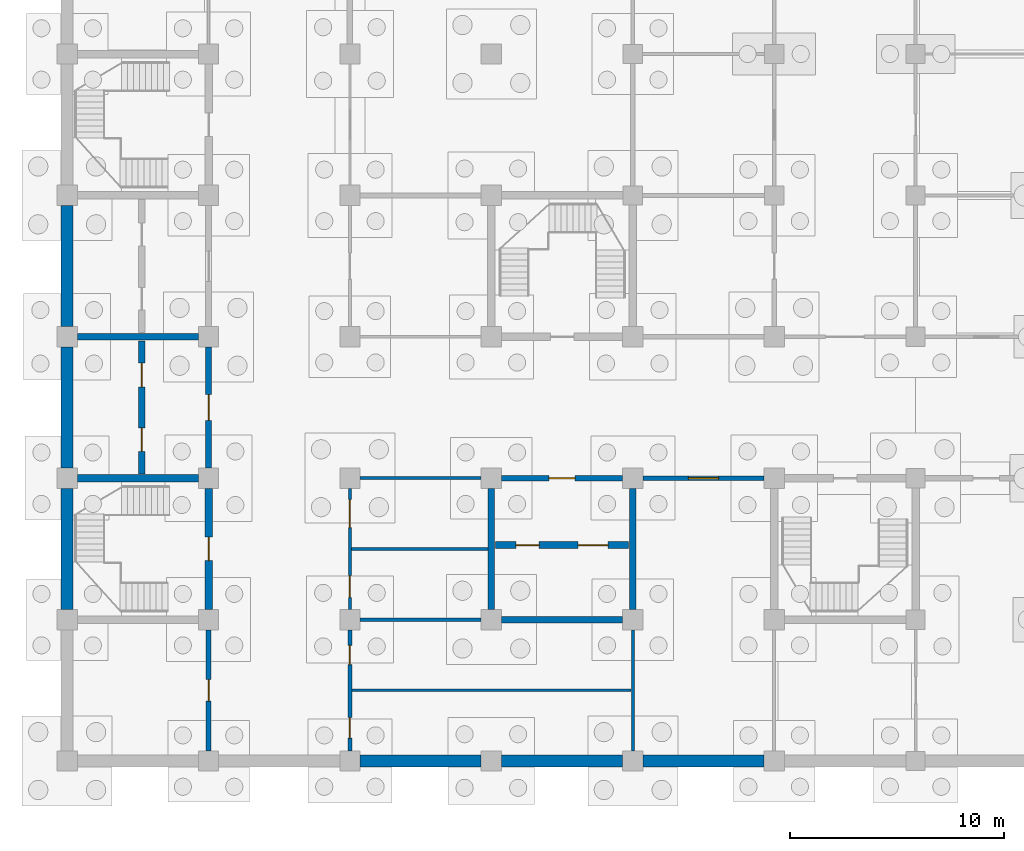
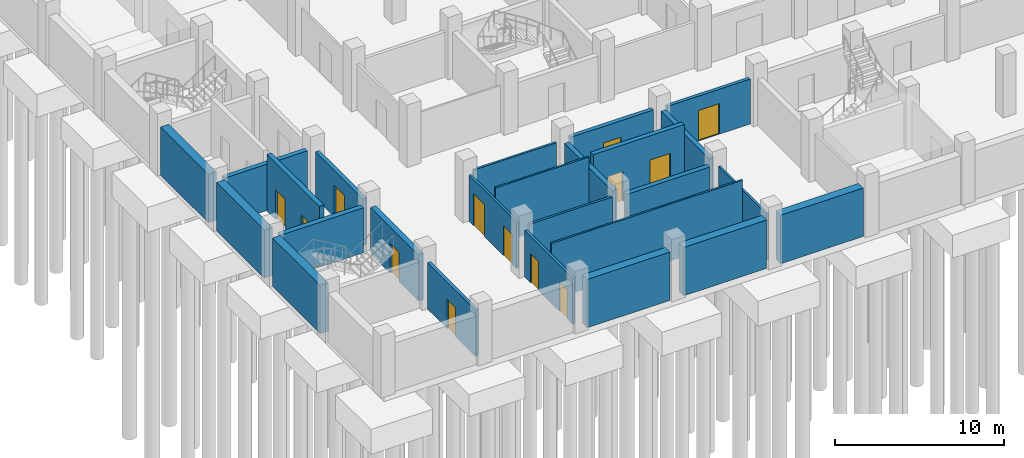
# One storey, part 7 of 18: 25 walls, 13 doors, 13 openings.
"""IFC4 building model written with IfcOpenShell, lengths in metres."""

from ifc_helpers import new_model, si_unit, direction, frame, frame_2d, origin, place, context, subcontext, project, spatial, rectangle, extrude, material, layer, layer_set, type_object, element, fill, save


model = new_model("IFC4")

# Units and contexts
model_context = context("Model", 3, precision=1e-05, world=origin(), true_north=direction((0.0, 1.0)))
body_context = subcontext(model_context, "Body", "Model", "MODEL_VIEW")
ifc_project = project(units=[si_unit("LENGTHUNIT", "METRE"), si_unit("AREAUNIT", "SQUARE_METRE"), si_unit("VOLUMEUNIT", "CUBIC_METRE"), si_unit("PLANEANGLEUNIT", "RADIAN"), si_unit("MASSUNIT", "GRAM", prefix="KILO")], contexts=[model_context])

# Site, building, storey
site_placement = place(None, origin())
site = spatial("IfcSite", under=ifc_project, at=site_placement, CompositionType="ELEMENT")
building_placement = place(site_placement, origin())
building = spatial("IfcBuilding", under=site, at=building_placement, Name="Rusizi Kubbe Research Institute", CompositionType="ELEMENT")
storey_placement = place(building_placement, frame((0.0, 0.0, -4.5)))
storey = spatial("IfcBuildingStorey", under=building, at=storey_placement, Name="B01", CompositionType="ELEMENT", Elevation=-4.5)

# Wall
ifc_material_1 = material(Name="Concrete C45/55", Category="concrete")
ifc_layer_1 = layer(ifc_material_1, 0.35009765625)
ifc_layer_set_1 = layer_set([ifc_layer_1], Name="Concrete C45/55")
wall_type_1 = type_object("IfcWallType", Name="CRW-01", PredefinedType="SHEAR", material=ifc_layer_set_1)
wall_1_placement = place(storey_placement, frame((0.47509765625, 13.199951171875, 0.0), z_axis=(0.0, 0.0, 1.0), x_axis=(1.0, 0.0, 0.0)))
element("IfcWall", 1, at=wall_1_placement, inside=storey, type_object=wall_type_1, Name="Stair Core Shear Wall ST1 B01 N", PredefinedType="SHEAR", context=body_context, shape_type="SweptSolid", body=[
    extrude(rectangle(XDim=5.64990234375, YDim=0.35009765625, at=frame_2d((2.824951171875, 0.0))), origin(), (0.0, 0.0, 1.0), 3.239990234375),
])

# Wall, opening, door
wall_2_placement = place(storey_placement, frame((6.60009765625, 7.074951171875, 0.0), z_axis=(0.0, 0.0, 1.0), x_axis=(0.0, 1.0, 0.0)))
wall_2 = element("IfcWall", 2, at=wall_2_placement, inside=storey, type_object=wall_type_1, Name="Stair Core Shear Wall ST1 B01 E", PredefinedType="SHEAR", context=body_context, shape_type="SweptSolid", body=[
    extrude(rectangle(XDim=5.650146484375, YDim=0.35009765625, at=frame_2d((2.8251953125, 0.0))), origin(), (0.0, 0.0, 1.0), 3.340087890625),
])
opening_1_placement = place(wall_2_placement, frame((2.27490234375, 0.0, 0.0)))
opening_1 = element("IfcOpeningElement", 3, at=opening_1_placement, cuts=wall_2, Name="Opening D-01", PredefinedType="OPENING", context=body_context, shape_type="SweptSolid", body=[
    extrude(rectangle(XDim=1.10009765625, YDim=2.14990234375, at=frame_2d((0.550048828125, 1.074951171875))), frame((0.0, 0.18505859375, 0.0), z_axis=(0.0, -1.0, 0.0), x_axis=(1.0, 0.0, 0.0)), (0.0, 0.0, 1.0), 0.3701171875),
])
ifc_material_2 = material(Name="Fire-Rated Steel Frame and Acoustic Timber Leaf", Category="wood")
door_type_1 = type_object("IfcDoorType", Name="ID-STAIR-110", OperationType="NOTDEFINED", PredefinedType="DOOR", material=ifc_material_2)
door_1_placement = place(opening_1_placement, origin())
door_1 = element("IfcDoor", 4, at=door_1_placement, inside=storey, type_object=door_type_1, Name="Exit Stair Door ST1 B01", OperationType="SINGLE_SWING_LEFT", OverallHeight=2.14990234375, OverallWidth=1.10009765625, PredefinedType="DOOR", context=body_context, shape_type="SweptSolid", body=[
    extrude(rectangle(XDim=1.10009765625, YDim=2.14990234375, at=frame_2d((0.550048828125, 1.074951171875))), frame((0.0, 0.02490234375, 0.0), z_axis=(0.0, -1.0, 0.0), x_axis=(1.0, 0.0, 0.0)), (0.0, 0.0, 1.0), 0.050048828125),
])
fill(opening_1, door_1)

# Walls
ifc_material_3 = material(Name="Concrete C45/55", Category="concrete")
ifc_layer_2 = layer(ifc_material_3, 0.31494140625)
ifc_layer_set_2 = layer_set([ifc_layer_2], Name="Concrete C45/55")
wall_type_2 = type_object("IfcWallType", Name="CRW-02", PredefinedType="SHEAR", material=ifc_layer_set_2)
wall_3_placement = place(storey_placement, frame((0.47509765625, 19.800048828125, 0.0), z_axis=(0.0, 0.0, 1.0), x_axis=(1.0, 0.0, 0.0)))
element("IfcWall", 5, at=wall_3_placement, inside=storey, type_object=wall_type_2, Name="Lift Core Divider Wall (0,2-3) B01", PredefinedType="SHEAR", context=body_context, shape_type="SweptSolid", body=[
    extrude(rectangle(XDim=5.64990234375, YDim=0.31494140625, at=frame_2d((2.824951171875, 0.0))), origin(), (0.0, 0.0, 1.0), 3.340087890625),
])
wall_4_placement = place(storey_placement, frame((20.27490234375, 6.60009765625, 0.0), z_axis=(0.0, 0.0, 1.0), x_axis=(1.0, 0.0, 0.0)))
element("IfcWall", 6, at=wall_4_placement, inside=storey, type_object=wall_type_2, Name="Lab Lift Core Wall S (3,1) B01", PredefinedType="SHEAR", context=body_context, shape_type="SweptSolid", body=[
    extrude(rectangle(XDim=5.650146484375, YDim=0.31494140625, at=frame_2d((2.8251953125, 0.0))), origin(), (0.0, 0.0, 1.0), 3.239990234375),
])
for number, where, z_axis, x_axis, name in (
    (7, (19.800048828125, 7.074951171875, 0.0), (0.0, 0.0, 1.0), (0.0, 1.0, 0.0), "Lab Lift Core Wall W (3,1) B01"),
    (8, (26.39990234375, 7.074951171875, 0.0), (0.0, 0.0, 1.0), (0.0, 1.0, 0.0), "Lab Lift Core Wall E (3,1) B01"),
):
    element("IfcWall", number, at=place(storey_placement, frame(where, z_axis=z_axis, x_axis=x_axis)), inside=storey, type_object=wall_type_2, Name=name, PredefinedType="SHEAR", context=body_context, shape_type="SweptSolid", body=[
        extrude(rectangle(XDim=5.650146484375, YDim=0.31494140625, at=frame_2d((2.8251953125, 0.0))), origin(), (0.0, 0.0, 1.0), 3.340087890625),
    ])

# Wall, openings, doors
wall_5_placement = place(storey_placement, frame((3.47998046875, 13.39990234375, 0.0), z_axis=(0.0, 0.0, 1.0), x_axis=(0.0, 1.0, 0.0)))
wall_5 = element("IfcWall", 9, at=wall_5_placement, inside=storey, type_object=wall_type_2, Name="Firefighting Lift Shaft Front Wall B01", PredefinedType="SHEAR", context=body_context, shape_type="SweptSolid", body=[
    extrude(rectangle(XDim=6.2001953125, YDim=0.31494140625, at=frame_2d((3.10009765625, 0.0))), origin(), (0.0, 0.0, 1.0), 4.090087890625),
])
opening_2_placement = place(wall_5_placement, frame((1.050048828125, 0.0, 0.0)))
opening_2 = element("IfcOpeningElement", 10, at=opening_2_placement, cuts=wall_5, Name="Opening LD-01", PredefinedType="OPENING", context=body_context, shape_type="SweptSolid", body=[
    extrude(rectangle(XDim=1.10009765625, YDim=2.14990234375, at=frame_2d((0.550048828125, 1.074951171875))), frame((0.0, 0.16748046875, 0.0), z_axis=(0.0, -1.0, 0.0), x_axis=(1.0, 0.0, 0.0)), (0.0, 0.0, 1.0), 0.3349609375),
])
opening_3_placement = place(wall_5_placement, frame((4.050048828125, 0.0, 0.0)))
opening_3 = element("IfcOpeningElement", 11, at=opening_3_placement, cuts=wall_5, Name="Opening LD-02", PredefinedType="OPENING", context=body_context, shape_type="SweptSolid", body=[
    extrude(rectangle(XDim=1.1201171875, YDim=2.14990234375, at=frame_2d((0.56005859375, 1.074951171875))), frame((0.0, 0.16748046875, 0.0), z_axis=(0.0, -1.0, 0.0), x_axis=(1.0, 0.0, 0.0)), (0.0, 0.0, 1.0), 0.3349609375),
])
ifc_material_4 = material(Name="Brushed Stainless Steel Sliding Door", Category="steel")
door_type_2 = type_object("IfcDoorType", Name="LD-01", OperationType="DOUBLE_DOOR_SLIDING", PredefinedType="USERDEFINED", material=ifc_material_4)
door_2_placement = place(opening_2_placement, origin())
door_2 = element("IfcDoor", 12, at=door_2_placement, inside=storey, type_object=door_type_2, Name="Lift Landing Sliding Door FL1 B01", ObjectType="SLIDING DOOR", OperationType="DOUBLE_DOOR_SLIDING", OverallHeight=2.14990234375, OverallWidth=1.10009765625, PredefinedType="USERDEFINED", context=body_context, shape_type="SweptSolid", body=[
    extrude(rectangle(XDim=1.10009765625, YDim=2.14990234375, at=frame_2d((0.550048828125, 1.074951171875))), frame((0.0, 0.02490234375, 0.0), z_axis=(0.0, -1.0, 0.0), x_axis=(1.0, 0.0, 0.0)), (0.0, 0.0, 1.0), 0.050048828125),
])
fill(opening_2, door_2)
ifc_material_5 = material(Name="Brushed Stainless Steel Sliding Door", Category="steel")
door_type_3 = type_object("IfcDoorType", Name="LD-02", OperationType="DOUBLE_DOOR_SLIDING", PredefinedType="USERDEFINED", material=ifc_material_5)
door_3_placement = place(opening_3_placement, origin())
door_3 = element("IfcDoor", 13, at=door_3_placement, inside=storey, type_object=door_type_3, Name="Lift Landing Sliding Door FL2 B01", ObjectType="SLIDING DOOR", OperationType="DOUBLE_DOOR_SLIDING", OverallHeight=2.14990234375, OverallWidth=1.1201171875, PredefinedType="USERDEFINED", context=body_context, shape_type="SweptSolid", body=[
    extrude(rectangle(XDim=1.1201171875, YDim=2.14990234375, at=frame_2d((0.56005859375, 1.074951171875))), frame((0.0, 0.02490234375, 0.0), z_axis=(0.0, -1.0, 0.0), x_axis=(1.0, 0.0, 0.0)), (0.0, 0.0, 1.0), 0.050048828125),
])
fill(opening_3, door_3)

wall_6_placement = place(storey_placement, frame((20.0, 10.080078125, 0.0), z_axis=(0.0, 0.0, 1.0), x_axis=(1.0, 0.0, 0.0)))
wall_6 = element("IfcWall", 14, at=wall_6_placement, inside=storey, type_object=wall_type_2, Name="Goods Lift Shaft Front Wall B01", PredefinedType="SHEAR", context=body_context, shape_type="SweptSolid", body=[
    extrude(rectangle(XDim=6.199951171875, YDim=0.31494140625, at=frame_2d((3.10009765625, 0.0))), origin(), (0.0, 0.0, 1.0), 4.090087890625),
])
opening_4_placement = place(wall_6_placement, frame((0.949951171875, 0.0, 0.0)))
opening_4 = element("IfcOpeningElement", 15, at=opening_4_placement, cuts=wall_6, Name="Opening LD-05", PredefinedType="OPENING", context=body_context, shape_type="SweptSolid", body=[
    extrude(rectangle(XDim=1.080078125, YDim=2.14990234375, at=frame_2d((0.5400390625, 1.074951171875))), frame((0.0, 0.16748046875, 0.0), z_axis=(0.0, -1.0, 0.0), x_axis=(1.0, 0.0, 0.0)), (0.0, 0.0, 1.0), 0.3349609375),
])
opening_5_placement = place(wall_6_placement, frame((3.85009765625, 0.0, 0.0)))
opening_5 = element("IfcOpeningElement", 16, at=opening_5_placement, cuts=wall_6, Name="Opening LD-06", PredefinedType="OPENING", context=body_context, shape_type="SweptSolid", body=[
    extrude(rectangle(XDim=1.39990234375, YDim=2.35009765625, at=frame_2d((0.699951171875, 1.175048828125))), frame((0.0, 0.16748046875, 0.0), z_axis=(0.0, -1.0, 0.0), x_axis=(1.0, 0.0, 0.0)), (0.0, 0.0, 1.0), 0.3349609375),
])
ifc_material_6 = material(Name="Brushed Stainless Steel Sliding Door", Category="steel")
door_type_4 = type_object("IfcDoorType", Name="LD-05", OperationType="DOUBLE_DOOR_SLIDING", PredefinedType="USERDEFINED", material=ifc_material_6)
door_4_placement = place(opening_4_placement, origin())
door_4 = element("IfcDoor", 17, at=door_4_placement, inside=storey, type_object=door_type_4, Name="Lift Landing Sliding Door LP3 B01", ObjectType="SLIDING DOOR", OperationType="DOUBLE_DOOR_SLIDING", OverallHeight=2.14990234375, OverallWidth=1.080078125, PredefinedType="USERDEFINED", context=body_context, shape_type="SweptSolid", body=[
    extrude(rectangle(XDim=1.080078125, YDim=2.14990234375, at=frame_2d((0.5400390625, 1.074951171875))), frame((0.0, 0.02490234375, 0.0), z_axis=(0.0, -1.0, 0.0), x_axis=(1.0, 0.0, 0.0)), (0.0, 0.0, 1.0), 0.050048828125),
])
fill(opening_4, door_4)
ifc_material_7 = material(Name="Brushed Stainless Steel Sliding Door", Category="steel")
door_type_5 = type_object("IfcDoorType", Name="LD-06", OperationType="DOUBLE_DOOR_SLIDING", PredefinedType="USERDEFINED", material=ifc_material_7)
door_5_placement = place(opening_5_placement, origin())
door_5 = element("IfcDoor", 18, at=door_5_placement, inside=storey, type_object=door_type_5, Name="Lift Landing Sliding Door LG1 B01", ObjectType="SLIDING DOOR", OperationType="DOUBLE_DOOR_SLIDING", OverallHeight=2.35009765625, OverallWidth=1.39990234375, PredefinedType="USERDEFINED", context=body_context, shape_type="SweptSolid", body=[
    extrude(rectangle(XDim=1.39990234375, YDim=2.35009765625, at=frame_2d((0.699951171875, 1.175048828125))), frame((0.0, 0.02490234375, 0.0), z_axis=(0.0, -1.0, 0.0), x_axis=(1.0, 0.0, 0.0)), (0.0, 0.0, 1.0), 0.050048828125),
])
fill(opening_5, door_5)

# Wall, opening, door
ifc_material_8 = material(Name="Concrete Blockwork Fire Partition", Category="masonry")
ifc_layer_3 = layer(ifc_material_8, 0.22509765625)
ifc_layer_set_3 = layer_set([ifc_layer_3], Name="Concrete Blockwork Fire Partition")
wall_type_3 = type_object("IfcWallType", Name="IW-01", PredefinedType="PARTITIONING", material=ifc_layer_set_3)
wall_7_placement = place(storey_placement, frame((6.60009765625, 0.47509765625, 0.0), z_axis=(0.0, 0.0, 1.0), x_axis=(0.0, 1.0, 0.0)))
wall_7 = element("IfcWall", 19, at=wall_7_placement, inside=storey, type_object=wall_type_3, Name="Interior Partition Wall B01 V1-0", PredefinedType="PARTITIONING", context=body_context, shape_type="SweptSolid", body=[
    extrude(rectangle(XDim=5.64990234375, YDim=0.22509765625, at=frame_2d((2.824951171875, 0.0))), origin(), (0.0, 0.0, 1.0), 3.340087890625),
])
opening_6_placement = place(wall_7_placement, frame((2.324951171875, 0.0, 0.0)))
opening_6 = element("IfcOpeningElement", 20, at=opening_6_placement, cuts=wall_7, Name="Opening D-04", PredefinedType="OPENING", context=body_context, shape_type="SweptSolid", body=[
    extrude(rectangle(XDim=1.0, YDim=2.10009765625, at=frame_2d((0.5, 1.050048828125))), frame((0.0, 0.12255859375, 0.0), z_axis=(0.0, -1.0, 0.0), x_axis=(1.0, 0.0, 0.0)), (0.0, 0.0, 1.0), 0.2451171875),
])
ifc_material_9 = material(Name="Fire-Rated Steel Frame and Acoustic Timber Leaf", Category="wood")
door_type_6 = type_object("IfcDoorType", Name="ID-MEP-100", OperationType="NOTDEFINED", PredefinedType="DOOR", material=ifc_material_9)
door_6_placement = place(opening_6_placement, origin())
door_6 = element("IfcDoor", 21, at=door_6_placement, inside=storey, type_object=door_type_6, Name="Door to Service Spine Utility Riser Room (B01-MEP-01)", OperationType="SINGLE_SWING_RIGHT", OverallHeight=2.10009765625, OverallWidth=1.0, PredefinedType="DOOR", context=body_context, shape_type="SweptSolid", body=[
    extrude(rectangle(XDim=1.0, YDim=2.10009765625, at=frame_2d((0.5, 1.050048828125))), frame((0.0, 0.02490234375, 0.0), z_axis=(0.0, -1.0, 0.0), x_axis=(1.0, 0.0, 0.0)), (0.0, 0.0, 1.0), 0.050048828125),
])
fill(opening_6, door_6)

wall_8_placement = place(storey_placement, frame((26.875, 13.199951171875, 0.0), z_axis=(0.0, 0.0, 1.0), x_axis=(1.0, 0.0, 0.0)))
wall_8 = element("IfcWall", 22, at=wall_8_placement, inside=storey, type_object=wall_type_3, Name="Interior Partition Wall B01 H4-2", PredefinedType="PARTITIONING", context=body_context, shape_type="SweptSolid", body=[
    extrude(rectangle(XDim=5.64990234375, YDim=0.22509765625, at=frame_2d((2.824951171875, 0.0))), origin(), (0.0, 0.0, 1.0), 3.239990234375),
])
opening_7_placement = place(wall_8_placement, frame((2.114990234375, 0.0, 0.0)))
opening_7 = element("IfcOpeningElement", 23, at=opening_7_placement, cuts=wall_8, Name="Opening D-22", PredefinedType="OPENING", context=body_context, shape_type="SweptSolid", body=[
    extrude(rectangle(XDim=1.419921875, YDim=2.199951171875, at=frame_2d((0.7099609375, 1.10009765625))), frame((0.0, 0.12255859375, 0.0), z_axis=(0.0, -1.0, 0.0), x_axis=(1.0, 0.0, 0.0)), (0.0, 0.0, 1.0), 0.2451171875),
])
ifc_material_10 = material(Name="Fire-Rated Steel Frame and Acoustic Timber Leaf", Category="wood")
door_type_7 = type_object("IfcDoorType", Name="ID-STR-142", OperationType="DOUBLE_DOOR_SINGLE_SWING", PredefinedType="DOOR", material=ifc_material_10)
door_7_placement = place(opening_7_placement, origin())
door_7 = element("IfcDoor", 24, at=door_7_placement, inside=storey, type_object=door_type_7, Name="Door to Basement Parking and Ramp Arrival Zone (B01-EWS-01)", OperationType="DOUBLE_DOOR_SINGLE_SWING", OverallHeight=2.199951171875, OverallWidth=1.419921875, PredefinedType="DOOR", context=body_context, shape_type="SweptSolid", body=[
    extrude(rectangle(XDim=1.419921875, YDim=2.199951171875, at=frame_2d((0.7099609375, 1.10009765625))), frame((0.0, 0.02490234375, 0.0), z_axis=(0.0, -1.0, 0.0), x_axis=(1.0, 0.0, 0.0)), (0.0, 0.0, 1.0), 0.050048828125),
])
fill(opening_7, door_7)

# Wall, openings, doors
ifc_material_11 = material(Name="Acoustic Laboratory Partition", Category="masonry")
ifc_layer_4 = layer(ifc_material_11, 0.175048828125)
ifc_layer_set_4 = layer_set([ifc_layer_4], Name="Acoustic Laboratory Partition")
wall_type_4 = type_object("IfcWallType", Name="IW-03", PredefinedType="PARTITIONING", material=ifc_layer_set_4)
wall_9_placement = place(storey_placement, frame((13.199951171875, 0.47509765625, 0.0), z_axis=(0.0, 0.0, 1.0), x_axis=(0.0, 1.0, 0.0)))
wall_9 = element("IfcWall", 25, at=wall_9_placement, inside=storey, type_object=wall_type_4, Name="Sanitary Core West Corridor Wall B01", PredefinedType="PARTITIONING", context=body_context, shape_type="SweptSolid", body=[
    extrude(rectangle(XDim=5.64990234375, YDim=0.175048828125, at=frame_2d((2.824951171875, 0.0))), origin(), (0.0, 0.0, 1.0), 3.340087890625),
])
opening_8_placement = place(wall_9_placement, frame((0.60009765625, 0.0, 0.0)))
opening_8 = element("IfcOpeningElement", 26, at=opening_8_placement, cuts=wall_9, Name="Opening D-06", PredefinedType="OPENING", context=body_context, shape_type="SweptSolid", body=[
    extrude(rectangle(XDim=0.949951171875, YDim=2.10009765625, at=frame_2d((0.47509765625, 1.050048828125))), frame((0.0, 0.097412109375, 0.0), z_axis=(0.0, -1.0, 0.0), x_axis=(1.0, 0.0, 0.0)), (0.0, 0.0, 1.0), 0.195068359375),
])
opening_9_placement = place(wall_9_placement, frame((4.02490234375, 0.0, 0.0)))
opening_9 = element("IfcOpeningElement", 27, at=opening_9_placement, cuts=wall_9, Name="Opening D-05", PredefinedType="OPENING", context=body_context, shape_type="SweptSolid", body=[
    extrude(rectangle(XDim=0.89990234375, YDim=2.10009765625, at=frame_2d((0.449951171875, 1.050048828125))), frame((0.0, 0.097412109375, 0.0), z_axis=(0.0, -1.0, 0.0), x_axis=(1.0, 0.0, 0.0)), (0.0, 0.0, 1.0), 0.195068359375),
])
ifc_material_12 = material(Name="Fire-Rated Steel Frame and Acoustic Timber Leaf", Category="wood")
door_type_8 = type_object("IfcDoorType", Name="ID-WC-900", OperationType="NOTDEFINED", PredefinedType="DOOR", material=ifc_material_12)
door_8_placement = place(opening_9_placement, origin())
door_8 = element("IfcDoor", 28, at=door_8_placement, inside=storey, type_object=door_type_8, Name="Door to Female Toilet Room (B01-WC-F)", OperationType="SINGLE_SWING_LEFT", OverallHeight=2.10009765625, OverallWidth=0.89990234375, PredefinedType="DOOR", context=body_context, shape_type="SweptSolid", body=[
    extrude(rectangle(XDim=0.89990234375, YDim=2.10009765625, at=frame_2d((0.449951171875, 1.050048828125))), frame((0.0, 0.02490234375, 0.0), z_axis=(0.0, -1.0, 0.0), x_axis=(1.0, 0.0, 0.0)), (0.0, 0.0, 1.0), 0.050048828125),
])
fill(opening_9, door_8)
ifc_material_13 = material(Name="Fire-Rated Steel Frame and Acoustic Timber Leaf", Category="wood")
door_type_9 = type_object("IfcDoorType", Name="ID-WC-950", OperationType="NOTDEFINED", PredefinedType="DOOR", material=ifc_material_13)
door_9_placement = place(opening_8_placement, origin())
door_9 = element("IfcDoor", 29, at=door_9_placement, inside=storey, type_object=door_type_9, Name="Door to Male Toilet Room (B01-WC-M)", OperationType="SINGLE_SWING_RIGHT", OverallHeight=2.10009765625, OverallWidth=0.949951171875, PredefinedType="DOOR", context=body_context, shape_type="SweptSolid", body=[
    extrude(rectangle(XDim=0.949951171875, YDim=2.10009765625, at=frame_2d((0.47509765625, 1.050048828125))), frame((0.0, 0.02490234375, 0.0), z_axis=(0.0, -1.0, 0.0), x_axis=(1.0, 0.0, 0.0)), (0.0, 0.0, 1.0), 0.050048828125),
])
fill(opening_8, door_9)

# Wall
ifc_material_14 = material(Name="Fire-Rated Corridor Partition", Category="masonry")
ifc_layer_5 = layer(ifc_material_14, 0.155029296875)
ifc_layer_set_5 = layer_set([ifc_layer_5], Name="Fire-Rated Corridor Partition")
wall_type_5 = type_object("IfcWallType", Name="IW-04", PredefinedType="PARTITIONING", material=ifc_layer_set_5)
wall_10_placement = place(storey_placement, frame((13.675048828125, 6.60009765625, 0.0), z_axis=(0.0, 0.0, 1.0), x_axis=(1.0, 0.0, 0.0)))
element("IfcWall", 30, at=wall_10_placement, inside=storey, type_object=wall_type_5, Name="Sanitary Core North Divider Wall B01", PredefinedType="PARTITIONING", context=body_context, shape_type="SweptSolid", body=[
    extrude(rectangle(XDim=5.64990234375, YDim=0.155029296875, at=frame_2d((2.824951171875, 0.0))), origin(), (0.0, 0.0, 1.0), 3.340087890625),
])

# Wall, openings, doors
wall_11_placement = place(storey_placement, frame((13.199951171875, 7.074951171875, 0.0), z_axis=(0.0, 0.0, 1.0), x_axis=(0.0, 1.0, 0.0)))
wall_11 = element("IfcWall", 31, at=wall_11_placement, inside=storey, type_object=wall_type_5, Name="Accessible WC and Store West Wall B01", PredefinedType="PARTITIONING", context=body_context, shape_type="SweptSolid", body=[
    extrude(rectangle(XDim=5.650146484375, YDim=0.155029296875, at=frame_2d((2.8251953125, 0.0))), origin(), (0.0, 0.0, 1.0), 3.340087890625),
])
opening_10_placement = place(wall_11_placement, frame((0.56494140625, 0.0, 0.0)))
opening_10 = element("IfcOpeningElement", 32, at=opening_10_placement, cuts=wall_11, Name="Opening D-07", PredefinedType="OPENING", context=body_context, shape_type="SweptSolid", body=[
    extrude(rectangle(XDim=1.02001953125, YDim=2.14990234375, at=frame_2d((0.510009765625, 1.074951171875))), frame((0.0, 0.08740234375, 0.0), z_axis=(0.0, -1.0, 0.0), x_axis=(1.0, 0.0, 0.0)), (0.0, 0.0, 1.0), 0.175048828125),
])
opening_11_placement = place(wall_11_placement, frame((3.824951171875, 0.0, 0.0)))
opening_11 = element("IfcOpeningElement", 33, at=opening_11_placement, cuts=wall_11, Name="Opening D-14", PredefinedType="OPENING", context=body_context, shape_type="SweptSolid", body=[
    extrude(rectangle(XDim=1.300048828125, YDim=2.300048828125, at=frame_2d((0.64990234375, 1.14990234375))), frame((0.0, 0.08740234375, 0.0), z_axis=(0.0, -1.0, 0.0), x_axis=(1.0, 0.0, 0.0)), (0.0, 0.0, 1.0), 0.175048828125),
])
ifc_material_15 = material(Name="Fire-Rated Steel Frame and Acoustic Timber Leaf", Category="wood")
door_type_10 = type_object("IfcDoorType", Name="ID-LAB-130", OperationType="NOTDEFINED", PredefinedType="DOOR", material=ifc_material_15)
door_10_placement = place(opening_11_placement, origin())
door_10 = element("IfcDoor", 34, at=door_10_placement, inside=storey, type_object=door_type_10, Name="Door to Laboratory Reagent Store (B01-STR-01)", OperationType="SINGLE_SWING_RIGHT", OverallHeight=2.300048828125, OverallWidth=1.300048828125, PredefinedType="DOOR", context=body_context, shape_type="SweptSolid", body=[
    extrude(rectangle(XDim=1.300048828125, YDim=2.300048828125, at=frame_2d((0.64990234375, 1.14990234375))), frame((0.0, 0.02490234375, 0.0), z_axis=(0.0, -1.0, 0.0), x_axis=(1.0, 0.0, 0.0)), (0.0, 0.0, 1.0), 0.050048828125),
])
fill(opening_11, door_10)
ifc_material_16 = material(Name="Fire-Rated Steel Frame and Acoustic Timber Leaf", Category="wood")
door_type_11 = type_object("IfcDoorType", Name="ID-WC-ACC", OperationType="NOTDEFINED", PredefinedType="DOOR", material=ifc_material_16)
door_11_placement = place(opening_10_placement, origin())
door_11 = element("IfcDoor", 35, at=door_11_placement, inside=storey, type_object=door_type_11, Name="Door to Accessible Toilet Room (B01-WC-ACC)", OperationType="SINGLE_SWING_LEFT", OverallHeight=2.14990234375, OverallWidth=1.02001953125, PredefinedType="DOOR", context=body_context, shape_type="SweptSolid", body=[
    extrude(rectangle(XDim=1.02001953125, YDim=2.14990234375, at=frame_2d((0.510009765625, 1.074951171875))), frame((0.0, 0.02490234375, 0.0), z_axis=(0.0, -1.0, 0.0), x_axis=(1.0, 0.0, 0.0)), (0.0, 0.0, 1.0), 0.050048828125),
])
fill(opening_10, door_11)

# Walls
ifc_material_17 = material(Name="Write-up Glazed Acoustic Partition", Category="masonry")
ifc_layer_6 = layer(ifc_material_17, 0.139892578125)
ifc_layer_set_6 = layer_set([ifc_layer_6], Name="Write-up Glazed Acoustic Partition")
wall_type_6 = type_object("IfcWallType", Name="IW-05", PredefinedType="PARTITIONING", material=ifc_layer_set_6)
wall_12_placement = place(storey_placement, frame((26.39990234375, 0.47509765625, 0.0), z_axis=(0.0, 0.0, 1.0), x_axis=(0.0, 1.0, 0.0)))
element("IfcWall", 36, at=wall_12_placement, inside=storey, type_object=wall_type_6, Name="Sanitary Core East Enclosing Wall B01", PredefinedType="PARTITIONING", context=body_context, shape_type="SweptSolid", body=[
    extrude(rectangle(XDim=5.64990234375, YDim=0.139892578125, at=frame_2d((2.824951171875, 0.0))), origin(), (0.0, 0.0, 1.0), 3.340087890625),
])
wall_13_placement = place(storey_placement, frame((13.675048828125, 13.199951171875, 0.0), z_axis=(0.0, 0.0, 1.0), x_axis=(1.0, 0.0, 0.0)))
element("IfcWall", 37, at=wall_13_placement, inside=storey, type_object=wall_type_6, Name="Reagent Store North Corridor Wall B01", PredefinedType="PARTITIONING", context=body_context, shape_type="SweptSolid", body=[
    extrude(rectangle(XDim=5.64990234375, YDim=0.139892578125, at=frame_2d((2.824951171875, 0.0))), origin(), (0.0, 0.0, 1.0), 3.239990234375),
])
ifc_material_18 = material(Name="Sanitary Wet-Wall Partition", Category="masonry")
ifc_layer_7 = layer(ifc_material_18, 0.125)
ifc_layer_set_7 = layer_set([ifc_layer_7], Name="Sanitary Wet-Wall Partition")
wall_type_7 = type_object("IfcWallType", Name="IW-06", PredefinedType="PARTITIONING", material=ifc_layer_set_7)
wall_14_placement = place(storey_placement, frame((13.29248046875, 3.300048828125, 0.0), z_axis=(0.0, 0.0, 1.0), x_axis=(1.0, 0.0, 0.0)))
element("IfcWall", 38, at=wall_14_placement, inside=storey, type_object=wall_type_7, Name="Sanitary Divider Wall B01-1", PredefinedType="PARTITIONING", context=body_context, shape_type="SweptSolid", body=[
    extrude(rectangle(XDim=13.032470703125, YDim=0.125, at=frame_2d((6.51611328125, 0.0))), origin(), (0.0, 0.0, 1.0), 4.090087890625),
])
wall_15_placement = place(storey_placement, frame((13.282470703125, 9.89990234375, 0.0), z_axis=(0.0, 0.0, 1.0), x_axis=(1.0, 0.0, 0.0)))
element("IfcWall", 39, at=wall_15_placement, inside=storey, type_object=wall_type_7, Name="Sanitary Divider Wall B01-2", PredefinedType="PARTITIONING", context=body_context, shape_type="SweptSolid", body=[
    extrude(rectangle(XDim=6.35498046875, YDim=0.125, at=frame_2d((3.177490234375, 0.0))), origin(), (0.0, 0.0, 1.0), 4.090087890625),
])
ifc_material_19 = material(Name="Concrete C45/55", Category="concrete")
ifc_layer_8 = layer(ifc_material_19, 0.56005859375)
ifc_layer_set_8 = layer_set([ifc_layer_8], Name="Concrete C45/55")
wall_type_8 = type_object("IfcWallType", Name="RW-01", PredefinedType="USERDEFINED", material=ifc_layer_set_8)
wall_16_placement = place(storey_placement, frame((0.0, 7.074951171875, 0.0), z_axis=(0.0, 0.0, 1.0), x_axis=(0.0, 1.0, 0.0)))
element("IfcWall", 40, at=wall_16_placement, inside=storey, type_object=wall_type_8, Name="Basement Retaining Wall B01 V0-1", ObjectType="RETAINING WALL", PredefinedType="USERDEFINED", context=body_context, shape_type="SweptSolid", body=[
    extrude(rectangle(XDim=5.650146484375, YDim=0.56005859375, at=frame_2d((2.8251953125, 0.0))), origin(), (0.0, 0.0, 1.0), 3.489990234375),
])
wall_17_placement = place(storey_placement, frame((0.0, 13.675048828125, 0.0), z_axis=(0.0, 0.0, 1.0), x_axis=(0.0, 1.0, 0.0)))
element("IfcWall", 41, at=wall_17_placement, inside=storey, type_object=wall_type_8, Name="Basement Retaining Wall B01 V0-2", ObjectType="RETAINING WALL", PredefinedType="USERDEFINED", context=body_context, shape_type="SweptSolid", body=[
    extrude(rectangle(XDim=5.64990234375, YDim=0.56005859375, at=frame_2d((2.824951171875, 0.0))), origin(), (0.0, 0.0, 1.0), 3.489990234375),
])
wall_18_placement = place(storey_placement, frame((0.0, 20.27490234375, 0.0), z_axis=(0.0, 0.0, 1.0), x_axis=(0.0, 1.0, 0.0)))
element("IfcWall", 42, at=wall_18_placement, inside=storey, type_object=wall_type_8, Name="Basement Retaining Wall B01 V0-3", ObjectType="RETAINING WALL", PredefinedType="USERDEFINED", context=body_context, shape_type="SweptSolid", body=[
    extrude(rectangle(XDim=5.650146484375, YDim=0.56005859375, at=frame_2d((2.8251953125, 0.0))), origin(), (0.0, 0.0, 1.0), 3.489990234375),
])
wall_19_placement = place(storey_placement, frame((13.675048828125, 0.0, 0.0), z_axis=(0.0, 0.0, 1.0), x_axis=(1.0, 0.0, 0.0)))
element("IfcWall", 43, at=wall_19_placement, inside=storey, type_object=wall_type_8, Name="Basement Retaining Wall B01 H2-0", ObjectType="RETAINING WALL", PredefinedType="USERDEFINED", context=body_context, shape_type="SweptSolid", body=[
    extrude(rectangle(XDim=5.64990234375, YDim=0.56005859375, at=frame_2d((2.824951171875, 0.0))), origin(), (0.0, 0.0, 1.0), 3.489990234375),
])
wall_20_placement = place(storey_placement, frame((20.27490234375, 0.0, 0.0), z_axis=(0.0, 0.0, 1.0), x_axis=(1.0, 0.0, 0.0)))
element("IfcWall", 44, at=wall_20_placement, inside=storey, type_object=wall_type_8, Name="Basement Retaining Wall B01 H3-0", ObjectType="RETAINING WALL", PredefinedType="USERDEFINED", context=body_context, shape_type="SweptSolid", body=[
    extrude(rectangle(XDim=5.650146484375, YDim=0.56005859375, at=frame_2d((2.8251953125, 0.0))), origin(), (0.0, 0.0, 1.0), 3.489990234375),
])
wall_21_placement = place(storey_placement, frame((26.875, 0.0, 0.0), z_axis=(0.0, 0.0, 1.0), x_axis=(1.0, 0.0, 0.0)))
element("IfcWall", 45, at=wall_21_placement, inside=storey, type_object=wall_type_8, Name="Basement Retaining Wall B01 H4-0", ObjectType="RETAINING WALL", PredefinedType="USERDEFINED", context=body_context, shape_type="SweptSolid", body=[
    extrude(rectangle(XDim=5.64990234375, YDim=0.56005859375, at=frame_2d((2.824951171875, 0.0))), origin(), (0.0, 0.0, 1.0), 3.489990234375),
])

# Wall, opening, door
ifc_material_20 = material(Name="Concrete C40/50", Category="concrete")
ifc_layer_9 = layer(ifc_material_20, 0.27490234375)
ifc_layer_set_9 = layer_set([ifc_layer_9], Name="Concrete C40/50")
wall_type_9 = type_object("IfcWallType", Name="SHW-01", PredefinedType="SHEAR", material=ifc_layer_set_9)
wall_22_placement = place(storey_placement, frame((6.60009765625, 13.675048828125, 0.0), z_axis=(0.0, 0.0, 1.0), x_axis=(0.0, 1.0, 0.0)))
wall_22 = element("IfcWall", 46, at=wall_22_placement, inside=storey, type_object=wall_type_9, Name="Firefighting Lobby Wall B01", PredefinedType="SHEAR", context=body_context, shape_type="SweptSolid", body=[
    extrude(rectangle(XDim=5.64990234375, YDim=0.27490234375, at=frame_2d((2.824951171875, 0.0))), origin(), (0.0, 0.0, 1.0), 3.340087890625),
])
opening_12_placement = place(wall_22_placement, frame((2.22509765625, 0.0, 0.0)))
opening_12 = element("IfcOpeningElement", 47, at=opening_12_placement, cuts=wall_22, Name="Opening D-03", PredefinedType="OPENING", context=body_context, shape_type="SweptSolid", body=[
    extrude(rectangle(XDim=1.199951171875, YDim=2.25, at=frame_2d((0.60009765625, 1.125))), frame((0.0, 0.1474609375, 0.0), z_axis=(0.0, -1.0, 0.0), x_axis=(1.0, 0.0, 0.0)), (0.0, 0.0, 1.0), 0.294921875),
])
ifc_material_21 = material(Name="Fire-Rated Steel Frame and Acoustic Timber Leaf", Category="wood")
door_type_12 = type_object("IfcDoorType", Name="ID-FF-120", OperationType="NOTDEFINED", PredefinedType="DOOR", material=ifc_material_21)
door_12_placement = place(opening_12_placement, origin())
door_12 = element("IfcDoor", 48, at=door_12_placement, inside=storey, type_object=door_type_12, Name="Door to Firefighting Lift Lobby (B01-FFL-01)", OperationType="SINGLE_SWING_LEFT", OverallHeight=2.25, OverallWidth=1.199951171875, PredefinedType="DOOR", context=body_context, shape_type="SweptSolid", body=[
    extrude(rectangle(XDim=1.199951171875, YDim=2.25, at=frame_2d((0.60009765625, 1.125))), frame((0.0, 0.02490234375, 0.0), z_axis=(0.0, -1.0, 0.0), x_axis=(1.0, 0.0, 0.0)), (0.0, 0.0, 1.0), 0.050048828125),
])
fill(opening_12, door_12)

wall_23_placement = place(storey_placement, frame((20.27490234375, 13.199951171875, 0.0), z_axis=(0.0, 0.0, 1.0), x_axis=(1.0, 0.0, 0.0)))
wall_23 = element("IfcWall", 49, at=wall_23_placement, inside=storey, type_object=wall_type_9, Name="Goods Lift Lobby Wall B01", PredefinedType="SHEAR", context=body_context, shape_type="SweptSolid", body=[
    extrude(rectangle(XDim=5.650146484375, YDim=0.27490234375, at=frame_2d((2.8251953125, 0.0))), origin(), (0.0, 0.0, 1.0), 3.340087890625),
])
opening_13_placement = place(wall_23_placement, frame((2.215087890625, 0.0, 0.0)))
opening_13 = element("IfcOpeningElement", 50, at=opening_13_placement, cuts=wall_23, Name="Opening D-21", PredefinedType="OPENING", context=body_context, shape_type="SweptSolid", body=[
    extrude(rectangle(XDim=1.219970703125, YDim=2.14990234375, at=frame_2d((0.60986328125, 1.074951171875))), frame((0.0, 0.1474609375, 0.0), z_axis=(0.0, -1.0, 0.0), x_axis=(1.0, 0.0, 0.0)), (0.0, 0.0, 1.0), 0.294921875),
])
ifc_material_22 = material(Name="Fire-Rated Steel Frame and Acoustic Timber Leaf", Category="wood")
door_type_13 = type_object("IfcDoorType", Name="ID-STR-122", OperationType="NOTDEFINED", PredefinedType="DOOR", material=ifc_material_22)
door_13_placement = place(opening_13_placement, origin())
door_13 = element("IfcDoor", 51, at=door_13_placement, inside=storey, type_object=door_type_13, Name="Door to Laboratory Goods Lift Lobby (B01-GLB-01)", OperationType="SINGLE_SWING_RIGHT", OverallHeight=2.14990234375, OverallWidth=1.219970703125, PredefinedType="DOOR", context=body_context, shape_type="SweptSolid", body=[
    extrude(rectangle(XDim=1.219970703125, YDim=2.14990234375, at=frame_2d((0.60986328125, 1.074951171875))), frame((0.0, 0.02490234375, 0.0), z_axis=(0.0, -1.0, 0.0), x_axis=(1.0, 0.0, 0.0)), (0.0, 0.0, 1.0), 0.050048828125),
])
fill(opening_13, door_13)

save(model, "model.ifc")
